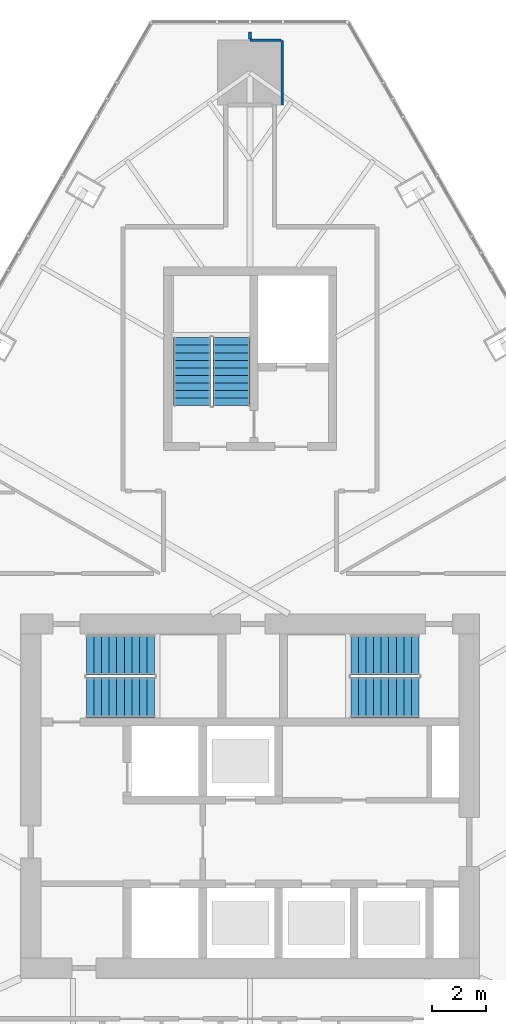
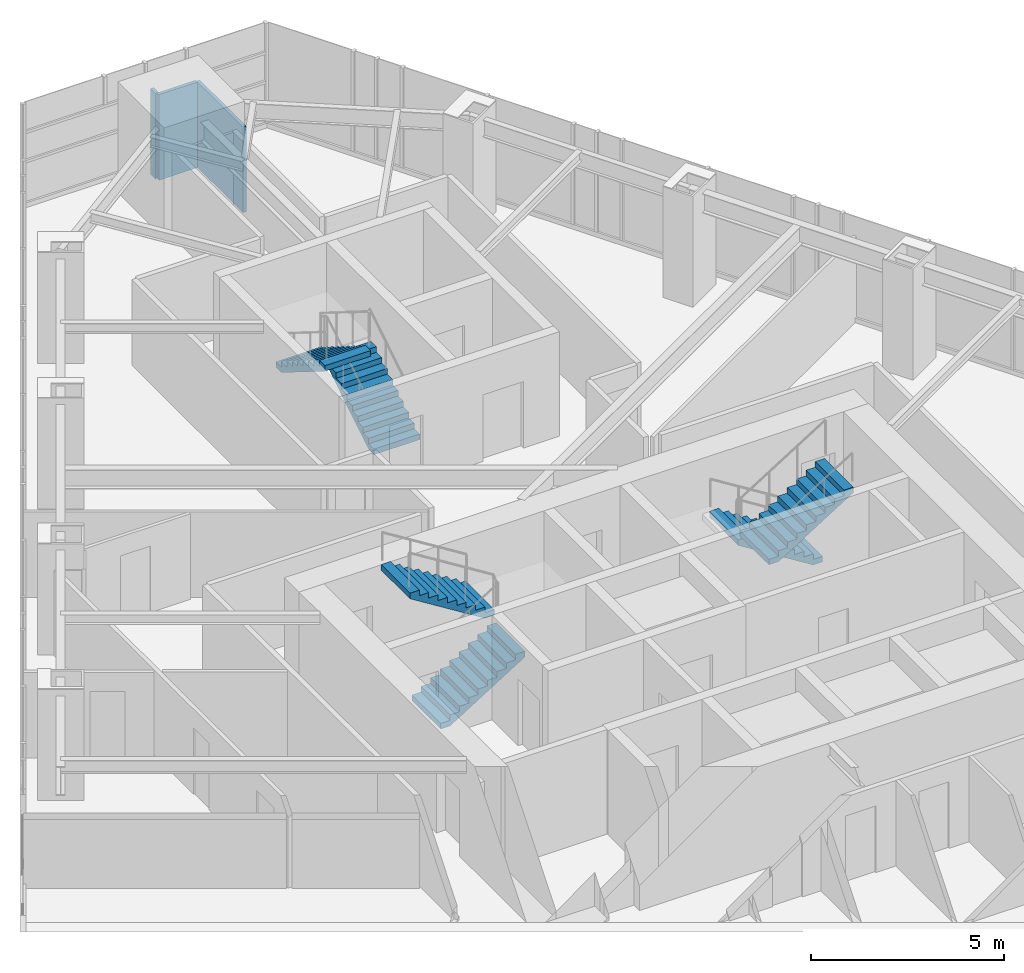
# One storey, part 18 of 20: 6 stair flights, 3 walls, 3 elements without a shape of their own.
"""IFC4 building model written with IfcOpenShell, lengths in metres."""

from ifc_helpers import new_model, si_unit, direction, frame, frame_2d, origin, place, context, subcontext, project, spatial, polyline, rectangle, outline, extrude, material, layer, layer_set, type_object, element, aggregate, save


model = new_model("IFC4")

# Units and contexts
model_context = context("Model", 3, precision=1e-05, world=origin(), true_north=direction((0.0, 1.0)))
body_context = subcontext(model_context, "Body", "Model", "MODEL_VIEW")
ifc_project = project(units=[si_unit("LENGTHUNIT", "METRE"), si_unit("AREAUNIT", "SQUARE_METRE"), si_unit("VOLUMEUNIT", "CUBIC_METRE"), si_unit("PLANEANGLEUNIT", "RADIAN"), si_unit("MASSUNIT", "GRAM", prefix="KILO")], contexts=[model_context])

# Site, building, storey
site_placement = place(None, origin())
site = spatial("IfcSite", under=ifc_project, at=site_placement, CompositionType="ELEMENT")
building_placement = place(site_placement, origin())
building = spatial("IfcBuilding", under=site, at=building_placement, Name="Firuza Gate Tower and Library", CompositionType="ELEMENT")
storey_placement = place(building_placement, frame((0.0, 0.0, 277.60009765625)))
storey = spatial("IfcBuildingStorey", under=building, at=storey_placement, Name="L66", CompositionType="ELEMENT", Elevation=277.60009765625)

# Walls
ifc_material_1 = material(Name="Gypsum board partition")
ifc_layer = layer(ifc_material_1, 0.10009765625)
ifc_layer_set = layer_set([ifc_layer], Name="Partition 100 gypsum board on steel studs")
wall_type = type_object("IfcWallType", Name="Partition 100 gypsum board on steel studs", PredefinedType="PARTITIONING", material=ifc_layer_set)
wall_1_placement = place(storey_placement, frame((75.00048828125, 103.011962890625, 0.0), z_axis=(0.0, 0.0, 1.0), x_axis=(1.0, 0.0, 0.0)))
element("IfcWall", 1, at=wall_1_placement, inside=storey, type_object=wall_type, Name="f:L66:w014", PredefinedType="PARTITIONING", context=body_context, shape_type="SweptSolid", body=[
    extrude(rectangle(XDim=1.1474609375, YDim=0.10009765625, at=frame_2d((0.57373046875, 0.0))), origin(), (0.0, 0.0, 1.0), 2.699951171875),
])
wall_2_placement = place(storey_placement, frame((76.199951171875, 100.614013671875, 0.0), z_axis=(0.0, 0.0, 1.0), x_axis=(0.0, 1.0, 0.0)))
element("IfcWall", 2, at=wall_2_placement, inside=storey, type_object=wall_type, Name="f:L66:w036", PredefinedType="PARTITIONING", context=body_context, shape_type="SweptSolid", body=[
    extrude(rectangle(XDim=2.39599609375, YDim=0.10009765625, at=frame_2d((1.197998046875, 0.0))), origin(), (0.0, 0.0, 1.0), 2.699951171875),
])
wall_3_placement = place(storey_placement, frame((75.0, 103.0625, 0.0), z_axis=(0.0, 0.0, 1.0), x_axis=(0.0, 1.0, 0.0)))
element("IfcWall", 3, at=wall_3_placement, inside=storey, type_object=wall_type, Name="f:L66:w039", PredefinedType="PARTITIONING", context=body_context, shape_type="SweptSolid", body=[
    extrude(rectangle(XDim=0.249267578125, YDim=0.10009765625, at=frame_2d((0.12451171875, 0.0))), origin(), (0.0, 0.0, 1.0), 2.699951171875),
])

# Stair, stair flights
ifc_material_2 = material(Name="Concrete C35/45", Category="concrete")
stair_type_1 = type_object("IfcStairType", Name="Exit stair ST17", PredefinedType="HALF_TURN_STAIR", material=ifc_material_2)
placement = place(storey_placement, origin())
stair_1 = element("IfcStair", 4, at=placement, inside=storey, type_object=stair_type_1, Name="L66 Stair ST3", PredefinedType="HALF_TURN_STAIR")
ifc_material_3 = material(Name="Concrete C35/45", Category="concrete")
stair_flight_type_1 = type_object("IfcStairFlightType", Name="Stair flight 10 risers 175 width 1370", PredefinedType="STRAIGHT", material=ifc_material_3)
stair_flight_1_placement = place(storey_placement, frame((74.31494140625, 89.469970703125, 0.0), z_axis=(0.0, 0.0, 1.0), x_axis=(0.0, 1.0, 0.0)))
stair_flight_1 = element("IfcStairFlight", 5, at=stair_flight_1_placement, type_object=stair_flight_type_1, Name="ST3 flight 1", NumberOfRisers=10, NumberOfTreads=9, PredefinedType="STRAIGHT", RiserHeight=0.175, TreadLength=0.28, context=body_context, shape_type="SweptSolid", body=[
    extrude(outline(polyline([(0.0, 0.0), (0.0, 0.175048828125), (0.280029296875, 0.175048828125), (0.280029296875, 0.35009765625), (0.56005859375, 0.35009765625), (0.56005859375, 0.52490234375), (0.840087890625, 0.52490234375), (0.840087890625, 0.699951171875), (1.1201171875, 0.699951171875), (1.1201171875, 0.875), (1.39990234375, 0.875), (1.39990234375, 1.050048828125), (1.679931640625, 1.050048828125), (1.679931640625, 1.22509765625), (1.9599609375, 1.22509765625), (1.9599609375, 1.39990234375), (2.239990234375, 1.39990234375), (2.239990234375, 1.574951171875), (2.52001953125, 1.574951171875), (2.52001953125, 1.75), (2.52001953125, 1.398193359375), (0.28271484375, 0.0), (0.0, 0.0)])), frame((0.0, 0.68505859375, 0.0), z_axis=(0.0, -1.0, 0.0), x_axis=(1.0, 0.0, 0.0)), (0.0, 0.0, 1.0), 1.3701171875),
])
stair_flight_2_placement = place(storey_placement, frame((72.844970703125, 91.989990234375, 1.75), z_axis=(0.0, 0.0, 1.0), x_axis=(0.0, -1.0, 0.0)))
stair_flight_2 = element("IfcStairFlight", 6, at=stair_flight_2_placement, type_object=stair_flight_type_1, Name="ST3 flight 2", NumberOfRisers=10, NumberOfTreads=9, PredefinedType="STRAIGHT", RiserHeight=0.175, TreadLength=0.28, context=body_context, shape_type="SweptSolid", body=[
    extrude(outline(polyline([(0.0, 0.0), (0.0, 0.175048828125), (0.280029296875, 0.175048828125), (0.280029296875, 0.35009765625), (0.56005859375, 0.35009765625), (0.56005859375, 0.52490234375), (0.840087890625, 0.52490234375), (0.840087890625, 0.699951171875), (1.1201171875, 0.699951171875), (1.1201171875, 0.875), (1.39990234375, 0.875), (1.39990234375, 1.050048828125), (1.679931640625, 1.050048828125), (1.679931640625, 1.22509765625), (1.9599609375, 1.22509765625), (1.9599609375, 1.39990234375), (2.239990234375, 1.39990234375), (2.239990234375, 1.574951171875), (2.52001953125, 1.574951171875), (2.52001953125, 1.75), (2.52001953125, 1.398193359375), (0.28271484375, 0.0), (0.0, 0.0)])), frame((0.0, 0.68505859375, 0.0), z_axis=(0.0, -1.0, 0.0), x_axis=(1.0, 0.0, 0.0)), (0.0, 0.0, 1.0), 1.3701171875),
])
aggregate(stair_1, [stair_flight_1, stair_flight_2])

ifc_material_4 = material(Name="Concrete C35/45", Category="concrete")
stair_type_2 = type_object("IfcStairType", Name="Exit stair ST8", PredefinedType="HALF_TURN_STAIR", material=ifc_material_4)
stair_2 = element("IfcStair", 7, at=placement, inside=storey, type_object=stair_type_2, Name="L66 Stair ST1", PredefinedType="HALF_TURN_STAIR")
ifc_material_5 = material(Name="Concrete C35/45", Category="concrete")
stair_flight_type_2 = type_object("IfcStairFlightType", Name="Stair flight 10 risers 175 width 1490", PredefinedType="STRAIGHT", material=ifc_material_5)
stair_flight_3_placement = place(storey_placement, frame((68.93994140625, 78.64501953125, 0.0), z_axis=(0.0, 0.0, 1.0), x_axis=(1.0, 0.0, 0.0)))
stair_flight_3 = element("IfcStairFlight", 8, at=stair_flight_3_placement, type_object=stair_flight_type_2, Name="ST1 flight 1", NumberOfRisers=10, NumberOfTreads=9, PredefinedType="STRAIGHT", RiserHeight=0.175, TreadLength=0.28, context=body_context, shape_type="SweptSolid", body=[
    extrude(outline(polyline([(0.0, 0.0), (0.0, 0.175048828125), (0.280029296875, 0.175048828125), (0.280029296875, 0.35009765625), (0.56005859375, 0.35009765625), (0.56005859375, 0.52490234375), (0.840087890625, 0.52490234375), (0.840087890625, 0.699951171875), (1.1201171875, 0.699951171875), (1.1201171875, 0.875), (1.39990234375, 0.875), (1.39990234375, 1.050048828125), (1.679931640625, 1.050048828125), (1.679931640625, 1.22509765625), (1.9599609375, 1.22509765625), (1.9599609375, 1.39990234375), (2.239990234375, 1.39990234375), (2.239990234375, 1.574951171875), (2.52001953125, 1.574951171875), (2.52001953125, 1.75), (2.52001953125, 1.398193359375), (0.28271484375, 0.0), (0.0, 0.0)])), frame((0.0, 0.7451171875, 0.0), z_axis=(0.0, -1.0, 0.0), x_axis=(1.0, 0.0, 0.0)), (0.0, 0.0, 1.0), 1.489990234375),
])
stair_flight_4_placement = place(storey_placement, frame((71.4599609375, 80.235107421875, 1.75), z_axis=(0.0, 0.0, 1.0), x_axis=(-1.0, 0.0, 0.0)))
stair_flight_4 = element("IfcStairFlight", 9, at=stair_flight_4_placement, type_object=stair_flight_type_2, Name="ST1 flight 2", NumberOfRisers=10, NumberOfTreads=9, PredefinedType="STRAIGHT", RiserHeight=0.175, TreadLength=0.28, context=body_context, shape_type="SweptSolid", body=[
    extrude(outline(polyline([(0.0, 0.0), (0.0, 0.175048828125), (0.280029296875, 0.175048828125), (0.280029296875, 0.35009765625), (0.56005859375, 0.35009765625), (0.56005859375, 0.52490234375), (0.840087890625, 0.52490234375), (0.840087890625, 0.699951171875), (1.1201171875, 0.699951171875), (1.1201171875, 0.875), (1.39990234375, 0.875), (1.39990234375, 1.050048828125), (1.679931640625, 1.050048828125), (1.679931640625, 1.22509765625), (1.9599609375, 1.22509765625), (1.9599609375, 1.39990234375), (2.239990234375, 1.39990234375), (2.239990234375, 1.574951171875), (2.52001953125, 1.574951171875), (2.52001953125, 1.75), (2.52001953125, 1.398193359375), (0.28271484375, 0.0), (0.0, 0.0)])), frame((0.0, 0.7451171875, 0.0), z_axis=(0.0, -1.0, 0.0), x_axis=(1.0, 0.0, 0.0)), (0.0, 0.0, 1.0), 1.489990234375),
])
aggregate(stair_2, [stair_flight_3, stair_flight_4])

stair_3 = element("IfcStair", 10, at=placement, inside=storey, type_object=stair_type_2, Name="L66 Stair ST2", PredefinedType="HALF_TURN_STAIR")
stair_flight_5_placement = place(storey_placement, frame((81.260009765625, 80.235107421875, 0.0), z_axis=(0.0, 0.0, 1.0), x_axis=(-1.0, 0.0, 0.0)))
stair_flight_5 = element("IfcStairFlight", 11, at=stair_flight_5_placement, type_object=stair_flight_type_2, Name="ST2 flight 1", NumberOfRisers=10, NumberOfTreads=9, PredefinedType="STRAIGHT", RiserHeight=0.175, TreadLength=0.28, context=body_context, shape_type="SweptSolid", body=[
    extrude(outline(polyline([(0.0, 0.0), (0.0, 0.175048828125), (0.280029296875, 0.175048828125), (0.280029296875, 0.35009765625), (0.56005859375, 0.35009765625), (0.56005859375, 0.52490234375), (0.840087890625, 0.52490234375), (0.840087890625, 0.699951171875), (1.1201171875, 0.699951171875), (1.1201171875, 0.875), (1.39990234375, 0.875), (1.39990234375, 1.050048828125), (1.679931640625, 1.050048828125), (1.679931640625, 1.22509765625), (1.9599609375, 1.22509765625), (1.9599609375, 1.39990234375), (2.239990234375, 1.39990234375), (2.239990234375, 1.574951171875), (2.52001953125, 1.574951171875), (2.52001953125, 1.75), (2.52001953125, 1.398193359375), (0.28271484375, 0.0), (0.0, 0.0)])), frame((0.0, 0.7451171875, 0.0), z_axis=(0.0, -1.0, 0.0), x_axis=(1.0, 0.0, 0.0)), (0.0, 0.0, 1.0), 1.489990234375),
])
stair_flight_6_placement = place(storey_placement, frame((78.739990234375, 78.64501953125, 1.75), z_axis=(0.0, 0.0, 1.0), x_axis=(1.0, 0.0, 0.0)))
stair_flight_6 = element("IfcStairFlight", 12, at=stair_flight_6_placement, type_object=stair_flight_type_2, Name="ST2 flight 2", NumberOfRisers=10, NumberOfTreads=9, PredefinedType="STRAIGHT", RiserHeight=0.175, TreadLength=0.28, context=body_context, shape_type="SweptSolid", body=[
    extrude(outline(polyline([(0.0, 0.0), (0.0, 0.175048828125), (0.280029296875, 0.175048828125), (0.280029296875, 0.35009765625), (0.56005859375, 0.35009765625), (0.56005859375, 0.52490234375), (0.840087890625, 0.52490234375), (0.840087890625, 0.699951171875), (1.1201171875, 0.699951171875), (1.1201171875, 0.875), (1.39990234375, 0.875), (1.39990234375, 1.050048828125), (1.679931640625, 1.050048828125), (1.679931640625, 1.22509765625), (1.9599609375, 1.22509765625), (1.9599609375, 1.39990234375), (2.239990234375, 1.39990234375), (2.239990234375, 1.574951171875), (2.52001953125, 1.574951171875), (2.52001953125, 1.75), (2.52001953125, 1.398193359375), (0.28271484375, 0.0), (0.0, 0.0)])), frame((0.0, 0.7451171875, 0.0), z_axis=(0.0, -1.0, 0.0), x_axis=(1.0, 0.0, 0.0)), (0.0, 0.0, 1.0), 1.489990234375),
])
aggregate(stair_3, [stair_flight_5, stair_flight_6])

save(model, "model.ifc")
